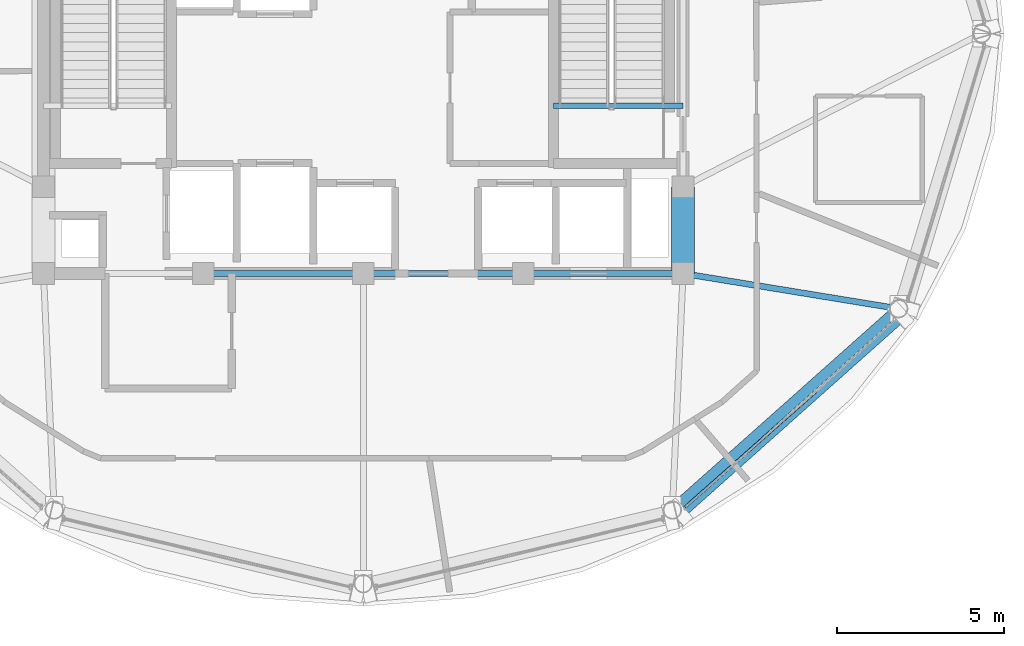
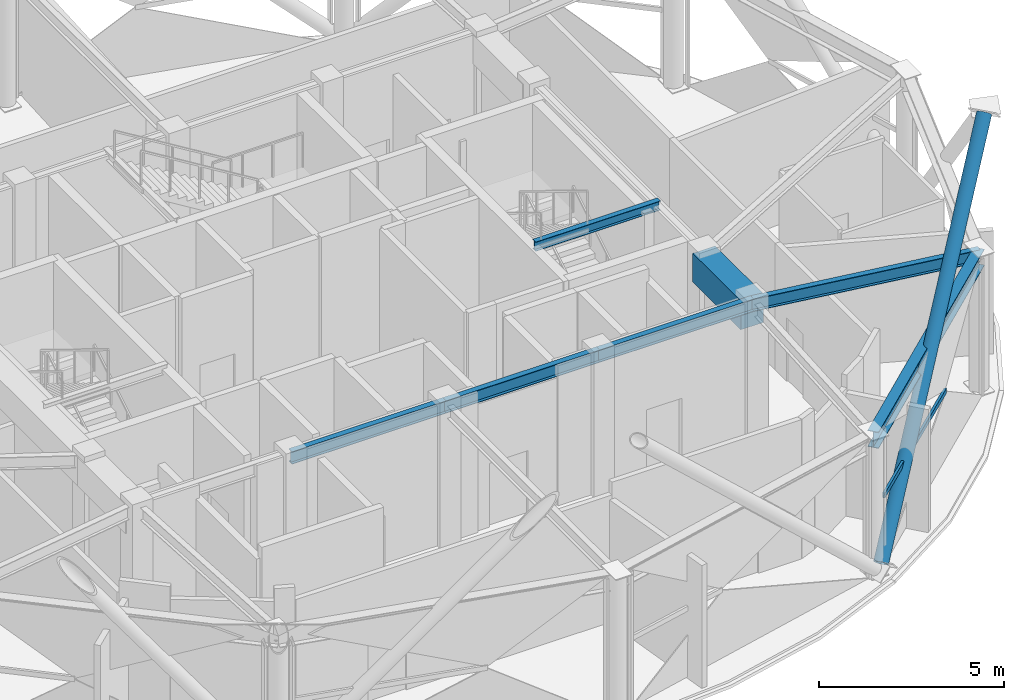
# One storey, part 7 of 27: 7 beams, 2 members, 1 element without a shape of its own.
"""IFC4 building model written with IfcOpenShell, lengths in metres."""

from ifc_helpers import new_model, si_unit, direction, frame, origin, origin_2d, place, context, subcontext, project, spatial, rectangle, hollow_rectangle, hollow_circle, i_section, extrude, material, layer, layer_set, material_profile, profile_set, type_object, element, aggregate, save


model = new_model("IFC4")

# Units and contexts
model_context = context("Model", 3, precision=1e-05, world=origin(), true_north=direction((0.0, 1.0)))
body_context = subcontext(model_context, "Body", "Model", "MODEL_VIEW")
ifc_project = project(units=[si_unit("LENGTHUNIT", "METRE"), si_unit("AREAUNIT", "SQUARE_METRE"), si_unit("VOLUMEUNIT", "CUBIC_METRE"), si_unit("PLANEANGLEUNIT", "RADIAN"), si_unit("MASSUNIT", "GRAM", prefix="KILO")], contexts=[model_context])

# Site, building, storey
site_placement = place(None, origin())
site = spatial("IfcSite", under=ifc_project, at=site_placement, CompositionType="ELEMENT")
building_placement = place(site_placement, origin())
building = spatial("IfcBuilding", under=site, at=building_placement, Name="Vantalir Tower", CompositionType="ELEMENT")
storey_placement = place(building_placement, frame((0.0, 0.0, 290.10009765625)))
storey = spatial("IfcBuildingStorey", under=building, at=storey_placement, Name="L73", CompositionType="ELEMENT", Elevation=290.10009765625)

# Beams
ifc_material_1 = material(Name="Concrete C60/75", Category="concrete")
ifc_material_profile_1 = material_profile(ifc_material_1, rectangle(XDim=0.699951171875, YDim=0.949951171875, at=origin_2d()), Name="Concrete C60/75")
ifc_profile_set_1 = profile_set([ifc_material_profile_1], Name="Concrete C60/75")
beam_type_1 = type_object("IfcBeamType", Name="BM-CB-700x950", PredefinedType="USERDEFINED", material=ifc_profile_set_1)
beam_1_placement = place(storey_placement, frame((41.10009765625, 17.800048828125, 4.14501953125), z_axis=(0.0, 1.0, 0.0), x_axis=(-1.0, 0.0, 0.0)))
element("IfcBeam", 1, at=beam_1_placement, inside=storey, type_object=beam_type_1, Name="L73 Core Coupling Girder 05", ObjectType="GIRDER", PredefinedType="USERDEFINED", context=body_context, shape_type="SweptSolid", body=[
    extrude(rectangle(XDim=0.699951171875, YDim=0.949951171875, at=origin_2d()), origin(), (0.0, 0.0, 1.0), 2.599853515625),
])
ifc_material_2 = material(Name="Steel S355", Category="steel")
ifc_material_profile_2 = material_profile(ifc_material_2, i_section(OverallWidth=0.166015625, OverallDepth=0.306884765625, WebThickness=0.006591796875, FlangeThickness=0.01171875, at=origin_2d()), Name="Steel S355")
ifc_profile_set_2 = profile_set([ifc_material_profile_2], Name="Steel S355")
beam_type_2 = type_object("IfcBeamType", Name="BM-JS-305x165", PredefinedType="JOIST", material=ifc_profile_set_2)
beam_2_placement = place(storey_placement, frame((37.2099609375, 22.8349609375, 4.64599609375), z_axis=(1.0, 0.0, 0.0), x_axis=(0.0, 1.0, 0.0)))
element("IfcBeam", 2, at=beam_2_placement, inside=storey, type_object=beam_type_2, Name="L74 Stair ST2 Well Nosing Trimmer Beam", PredefinedType="JOIST", context=body_context, shape_type="SweptSolid", body=[
    extrude(i_section(OverallWidth=0.166015625, OverallDepth=0.306884765625, WebThickness=0.006591796875, FlangeThickness=0.01171875, at=origin_2d()), origin(), (0.0, 0.0, 1.0), 3.89013671875),
])
ifc_material_profile_3 = material_profile(ifc_material_2, i_section(OverallWidth=0.179931640625, OverallDepth=0.4130859375, WebThickness=0.009521484375, FlangeThickness=0.01611328125, at=origin_2d()), Name="Steel S355")
ifc_profile_set_3 = profile_set([ifc_material_profile_3], Name="Steel S355")
beam_type_3 = type_object("IfcBeamType", Name="BM-RB-406x178", PredefinedType="BEAM", material=ifc_profile_set_3)
for number, where, z_axis, x_axis, name in (
    (3, (26.699951171875, 17.800048828125, 4.413818359375), (1.0, 0.0, 0.0), (0.0, 1.0, 0.0), "L73 Core Coupling Girder 02"),
    (4, (31.5, 17.800048828125, 4.413818359375), (1.0, 0.0, 0.0), (0.0, 1.0, 0.0), "L73 Core Coupling Girder 03"),
    (5, (36.300048828125, 17.800048828125, 4.413818359375), (1.0, 0.0, 0.0), (0.0, 1.0, 0.0), "L73 Core Coupling Girder 04"),
):
    element("IfcBeam", number, at=place(storey_placement, frame(where, z_axis=z_axis, x_axis=x_axis)), inside=storey, type_object=beam_type_3, Name=name, PredefinedType="BEAM", context=body_context, shape_type="SweptSolid", body=[
        extrude(i_section(OverallWidth=0.179931640625, OverallDepth=0.4130859375, WebThickness=0.009521484375, FlangeThickness=0.01611328125, at=origin_2d()), origin(), (0.0, 0.0, 1.0), 4.800048828125),
    ])
beam_3_placement = place(storey_placement, frame((47.572998046875, 16.743896484375, 4.413818359375), z_axis=(-0.986948581599, 0.161035701882, 0.0), x_axis=(-0.161035701882, -0.986948581599, 0.0)))
element("IfcBeam", 6, at=beam_3_placement, inside=storey, type_object=beam_type_3, Name="L73 Radial Floor Beam 12", PredefinedType="BEAM", context=body_context, shape_type="SweptSolid", body=[
    extrude(i_section(OverallWidth=0.179931640625, OverallDepth=0.4130859375, WebThickness=0.009521484375, FlangeThickness=0.01611328125, at=origin_2d()), origin(), (0.0, 0.0, 1.0), 6.55859375),
])
ifc_material_3 = material(Name="Steel S460", Category="steel")
ifc_material_profile_4 = material_profile(ifc_material_3, i_section(OverallWidth=0.31201171875, OverallDepth=0.5419921875, WebThickness=0.0126953125, FlangeThickness=0.020263671875, at=origin_2d()), Name="Steel S460")
ifc_profile_set_4 = profile_set([ifc_material_profile_4], Name="Steel S460")
beam_type_4 = type_object("IfcBeamType", Name="BM-RG-533x312", PredefinedType="USERDEFINED", material=ifc_profile_set_4)
beam_4_placement = place(storey_placement, frame((40.780029296875, 10.699951171875, 4.348876953125), z_axis=(0.747095174026, 0.664717083388, 0.0), x_axis=(-0.664717083388, 0.747095174026, 0.0)))
element("IfcBeam", 7, at=beam_4_placement, inside=storey, type_object=beam_type_4, Name="L73 Circumferential Ring Girder 11", ObjectType="GIRDER", PredefinedType="USERDEFINED", context=body_context, shape_type="SweptSolid", body=[
    extrude(i_section(OverallWidth=0.31201171875, OverallDepth=0.5419921875, WebThickness=0.0126953125, FlangeThickness=0.020263671875, at=origin_2d()), origin(), (0.0, 0.0, 1.0), 9.092529296875),
])

# Curtain wall, member
ifc_material_4 = material(Name="Champagne-silver PVDF aluminium and double-silver Low-E glass", Category="aluminium")
ifc_layer = layer(ifc_material_4, 0.219970703125)
ifc_layer_set = layer_set([ifc_layer], Name="Champagne-silver PVDF aluminium and double-silver Low-E glass")
curtain_wall_type = type_object("IfcCurtainWallType", Name="CW-DIAMOND-Z4", PredefinedType="USERDEFINED", material=ifc_layer_set)
curtain_wall_placement = place(storey_placement, origin())
curtain_wall = element("IfcCurtainWall", 8, at=curtain_wall_placement, inside=storey, type_object=curtain_wall_type, Name="L73 Quilted Pyramid-Diamond Curtain Wall S11", ObjectType="UNITISED CURTAIN WALL", PredefinedType="USERDEFINED")
ifc_material_5 = material(Name="Champagne-silver PVDF aluminium 6063-T6", Category="aluminium")
ifc_material_profile_5 = material_profile(ifc_material_5, hollow_rectangle(XDim=0.074951171875, YDim=0.159912109375, WallThickness=0.00390625, at=origin_2d()), Name="Champagne-silver PVDF aluminium 6063-T6")
ifc_profile_set_5 = profile_set([ifc_material_profile_5], Name="Champagne-silver PVDF aluminium 6063-T6")
member_type_1 = type_object("IfcMemberType", Name="CWT-160x75", PredefinedType="USERDEFINED", material=ifc_profile_set_5)
member_1_placement = place(storey_placement, frame((41.166015625, 10.794921875, 2.309814453125), z_axis=(0.749706798363, 0.66177013871, 0.0), x_axis=(-0.66177013871, 0.749706798363, 0.0)))
member_1 = element("IfcMember", 9, at=member_1_placement, type_object=member_type_1, Name="CW-L73-S11 Pyramid Fold Ridge Transom", ObjectType="TRANSOM", PredefinedType="USERDEFINED", context=body_context, shape_type="SweptSolid", body=[
    extrude(hollow_rectangle(XDim=0.074951171875, YDim=0.159912109375, WallThickness=0.00390625, at=origin_2d()), origin(), (0.0, 0.0, 1.0), 5.219482421875),
])
aggregate(curtain_wall, [member_1])

# Member
ifc_material_profile_6 = material_profile(ifc_material_3, hollow_circle(Radius=0.2099609375, WallThickness=0.02490234375, at=origin_2d()), Name="Steel S460")
ifc_profile_set_6 = profile_set([ifc_material_profile_6], Name="Steel S460")
member_type_2 = type_object("IfcMemberType", Name="MEM-DB-420x25", PredefinedType="BRACE", material=ifc_profile_set_6)
member_2_placement = place(storey_placement, frame((40.990966796875, 10.638916015625, 0.23583984375), z_axis=(0.525995447909, 0.46855638092, 0.709777223273), x_axis=(-0.665160339717, 0.746700557431, 0.0)))
element("IfcMember", 10, at=member_2_placement, inside=storey, type_object=member_type_2, Name="L73 Perimeter S460 Diagrid Brace R31L", PredefinedType="BRACE", context=body_context, shape_type="SweptSolid", body=[
    extrude(hollow_circle(Radius=0.2099609375, WallThickness=0.02490234375, at=origin_2d()), origin(), (0.0, 0.0, 1.0), 12.606689453125),
])

save(model, "model.ifc")
